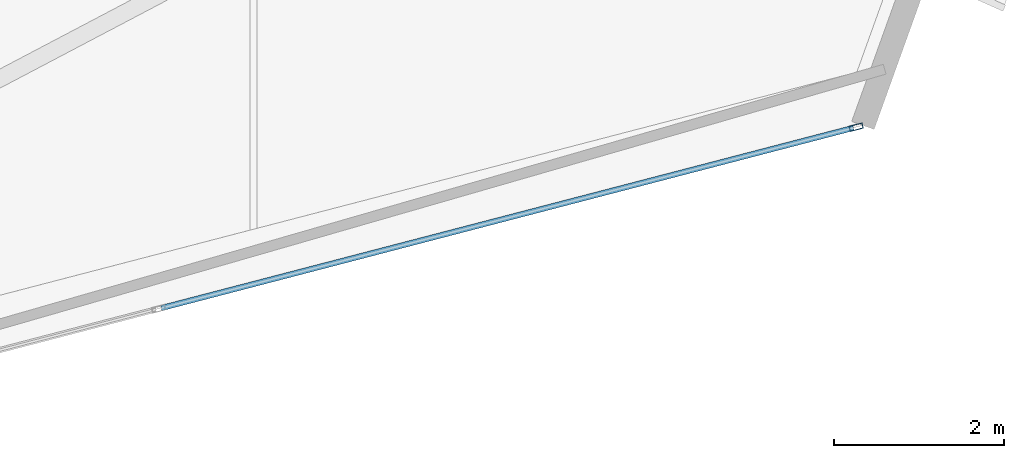
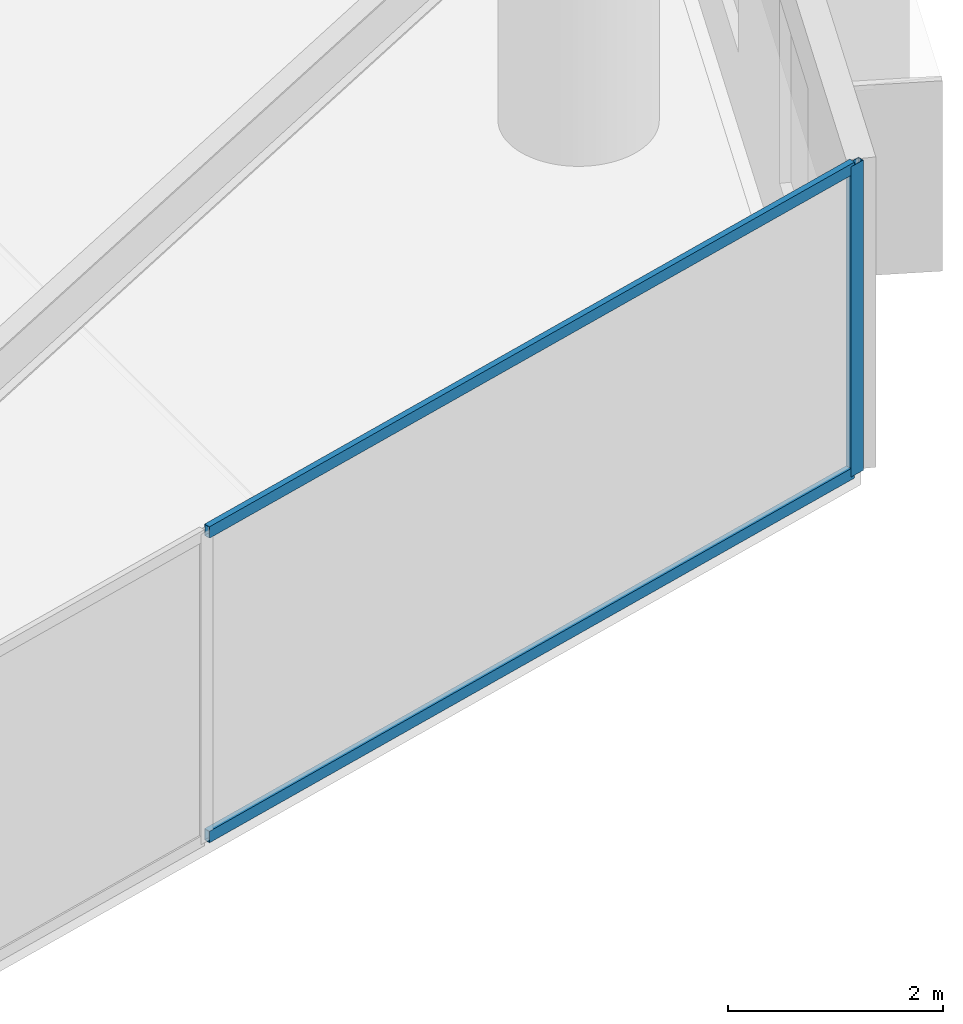
# One storey, part 12 of 21: 3 members, 1 element without a shape of its own.
"""IFC4 building model written with IfcOpenShell, lengths in metres."""

from ifc_helpers import new_model, si_unit, direction, frame, origin, origin_2d, place, context, subcontext, project, spatial, hollow_rectangle, extrude, material, layer, layer_set, material_profile, profile_set, type_object, element, aggregate, save


model = new_model("IFC4")

# Units and contexts
model_context = context("Model", 3, precision=1e-05, world=origin(), true_north=direction((0.0, 1.0)))
body_context = subcontext(model_context, "Body", "Model", "MODEL_VIEW")
ifc_project = project(units=[si_unit("LENGTHUNIT", "METRE"), si_unit("AREAUNIT", "SQUARE_METRE"), si_unit("VOLUMEUNIT", "CUBIC_METRE"), si_unit("PLANEANGLEUNIT", "RADIAN"), si_unit("MASSUNIT", "GRAM", prefix="KILO")], contexts=[model_context])

# Site, building, storey
site_placement = place(None, origin())
site = spatial("IfcSite", under=ifc_project, at=site_placement, CompositionType="ELEMENT")
building_placement = place(site_placement, origin())
building = spatial("IfcBuilding", under=site, at=building_placement, Name="Qianvela Tower", CompositionType="ELEMENT")
storey_placement = place(building_placement, frame((0.0, 0.0, 108.89990234375)))
storey = spatial("IfcBuildingStorey", under=building, at=storey_placement, Name="L27", CompositionType="ELEMENT", Elevation=108.89990234375)

# Curtain wall, members
ifc_material_1 = material(Name="Anodised Architectural Aluminium and Low-E Glass", Category="aluminium")
ifc_layer = layer(ifc_material_1, 0.169921875)
ifc_layer_set = layer_set([ifc_layer], Name="Anodised Architectural Aluminium and Low-E Glass")
curtain_wall_type = type_object("IfcCurtainWallType", Name="CW-COLIV-Z34", PredefinedType="USERDEFINED", material=ifc_layer_set)
curtain_wall_placement = place(storey_placement, origin())
curtain_wall = element("IfcCurtainWall", 1, at=curtain_wall_placement, inside=storey, type_object=curtain_wall_type, Name="L27 CW-COLIV-Z34 Curtain Wall 06B", ObjectType="CURTAIN_WALL_SYSTEM", PredefinedType="USERDEFINED")
ifc_material_2 = material(Name="Anodised Architectural Aluminium 6063-T6", Category="aluminium")
ifc_material_profile_1 = material_profile(ifc_material_2, hollow_rectangle(XDim=0.06494140625, YDim=0.159912109375, WallThickness=0.0048828125, at=origin_2d()), Name="ALU-MULL-65x160")
ifc_profile_set_1 = profile_set([ifc_material_profile_1], Name="Anodised Architectural Aluminium 6063-T6")
member_type_1 = type_object("IfcMemberType", Name="CW-COLIV-Z34-MULL", PredefinedType="MULLION", material=ifc_profile_set_1)
member_1_placement = place(storey_placement, frame((56.57666015625, 17.757080078125, 0.0), z_axis=(0.0, 0.0, 1.0), x_axis=(-0.251949218028, 0.9677404567, 0.0)))
member_1 = element("IfcMember", 2, at=member_1_placement, type_object=member_type_1, Name="CW-4 mullion 4", PredefinedType="MULLION", context=body_context, shape_type="SweptSolid", body=[
    extrude(hollow_rectangle(XDim=0.06494140625, YDim=0.159912109375, WallThickness=0.0048828125, at=origin_2d()), origin(), (0.0, 0.0, 1.0), 3.52001953125),
])
ifc_material_3 = material(Name="Anodised Architectural Aluminium 6063-T6", Category="aluminium")
ifc_material_profile_2 = material_profile(ifc_material_3, hollow_rectangle(XDim=0.06494140625, YDim=0.1298828125, WallThickness=0.00439453125, at=origin_2d()), Name="ALU-TRAN-65x130")
ifc_profile_set_2 = profile_set([ifc_material_profile_2], Name="Anodised Architectural Aluminium 6063-T6")
member_type_2 = type_object("IfcMemberType", Name="CW-COLIV-Z34-TRAN", PredefinedType="USERDEFINED", material=ifc_profile_set_2)
member_2_placement = place(storey_placement, frame((48.396240234375, 15.627197265625, 0.03271484375), z_axis=(0.967739700137, 0.25195212398, 0.0), x_axis=(-0.25195212398, 0.967739700137, 0.0)))
member_2 = element("IfcMember", 3, at=member_2_placement, type_object=member_type_2, Name="CW-4 transom 3.1", ObjectType="TRANSOM", PredefinedType="USERDEFINED", context=body_context, shape_type="SweptSolid", body=[
    extrude(hollow_rectangle(XDim=0.06494140625, YDim=0.1298828125, WallThickness=0.00439453125, at=origin_2d()), origin(), (0.0, 0.0, 1.0), 8.420654296875),
])
member_3_placement = place(storey_placement, frame((48.396240234375, 15.627197265625, 3.487548828125), z_axis=(0.967739700137, 0.25195212398, 0.0), x_axis=(-0.25195212398, 0.967739700137, 0.0)))
member_3 = element("IfcMember", 4, at=member_3_placement, type_object=member_type_2, Name="CW-4 transom 3.2", ObjectType="TRANSOM", PredefinedType="USERDEFINED", context=body_context, shape_type="SweptSolid", body=[
    extrude(hollow_rectangle(XDim=0.06494140625, YDim=0.1298828125, WallThickness=0.00439453125, at=origin_2d()), origin(), (0.0, 0.0, 1.0), 8.420654296875),
])
aggregate(curtain_wall, [member_1, member_2, member_3])

save(model, "model.ifc")
